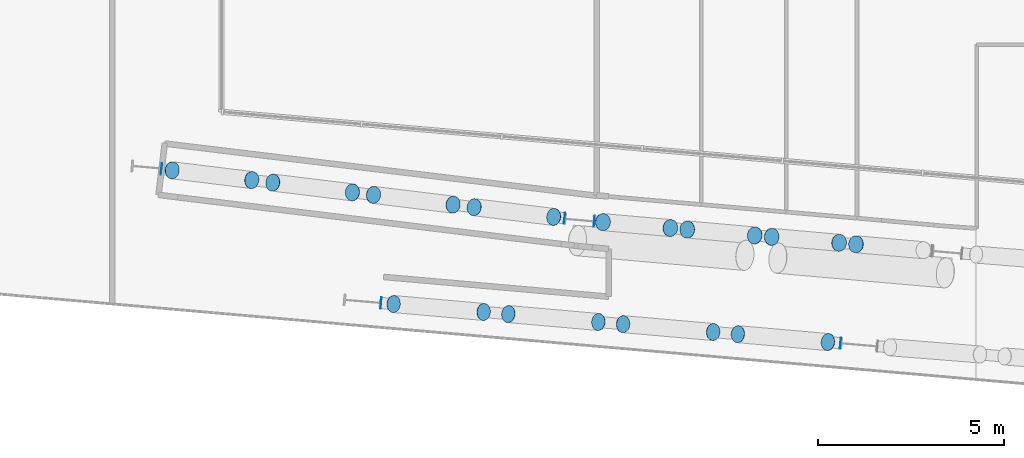
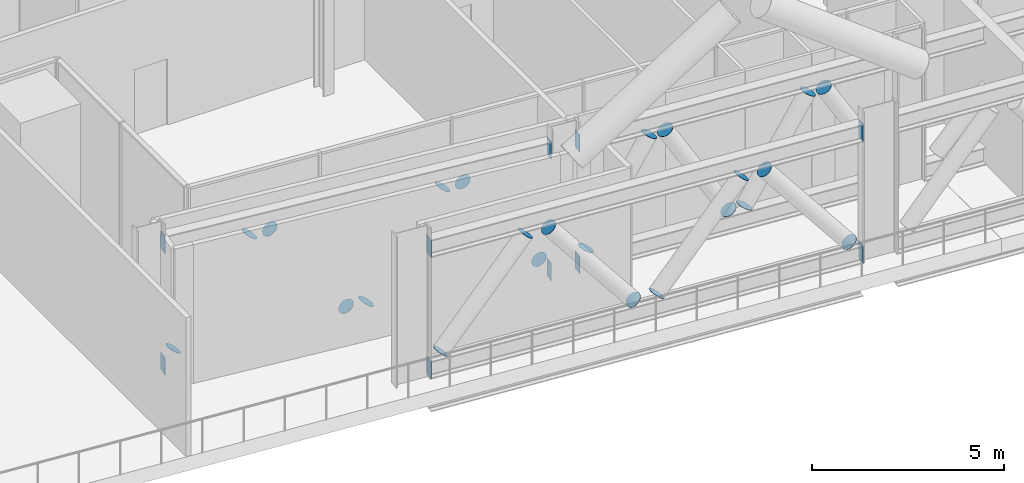
# One storey, part 26 of 39: 33 discrete accessories.
"""IFC4 building model written with IfcOpenShell, lengths in metres."""

from ifc_helpers import new_model, si_unit, direction, frame, origin, origin_2d, place, context, subcontext, project, spatial, rectangle, circle, extrude, material, material_profile, profile_set, type_object, element, save


model = new_model("IFC4")

# Units and contexts
model_context = context("Model", 3, precision=1e-05, world=origin(), true_north=direction((0.0, 1.0)))
body_context = subcontext(model_context, "Body", "Model", "MODEL_VIEW")
ifc_project = project(units=[si_unit("LENGTHUNIT", "METRE"), si_unit("AREAUNIT", "SQUARE_METRE"), si_unit("VOLUMEUNIT", "CUBIC_METRE"), si_unit("PLANEANGLEUNIT", "RADIAN"), si_unit("MASSUNIT", "GRAM", prefix="KILO")], contexts=[model_context])

# Site, building, storey
site_placement = place(None, origin())
site = spatial("IfcSite", under=ifc_project, at=site_placement, CompositionType="ELEMENT")
building_placement = place(site_placement, origin())
building = spatial("IfcBuilding", under=site, at=building_placement, Name="Wharfspan Tower", CompositionType="ELEMENT")
storey_placement = place(building_placement, frame((0.0, 0.0, 91.899902)))
storey = spatial("IfcBuildingStorey", under=building, at=storey_placement, Name="L20", CompositionType="ELEMENT", Elevation=91.899902)

# Discrete accessories
ifc_material_1 = material(Name="Steel S460NH", Category="steel")
ifc_material_profile_1 = material_profile(ifc_material_1, circle(Radius=0.228516, at=origin_2d()))
ifc_profile_set_1 = profile_set([ifc_material_profile_1], Name="Steel S460NH")
discrete_accessory_type_1 = type_object("IfcDiscreteAccessoryType", Name="End plate CHS 457x16", PredefinedType="BRACKET", material=ifc_profile_set_1)
discrete_accessory_1_placement = place(storey_placement, frame((14.274902, 2.485596, 0.673828), z_axis=(0.576018, -0.048002, 0.816026), x_axis=(0.083046, 0.996542, 0.0)))
element("IfcDiscreteAccessory", 1, at=discrete_accessory_1_placement, inside=storey, type_object=discrete_accessory_type_1, Name="End plate CHS 457x16", PredefinedType="BRACKET", context=body_context, shape_type="SweptSolid", body=[
    extrude(circle(Radius=0.228516, at=origin_2d()), origin(), (0.0, 0.0, 1.0), 0.010254),
])
discrete_accessory_2_placement = place(storey_placement, frame((16.412842, 2.224365, 3.718018), z_axis=(0.558819, -0.072889, 0.82608), x_axis=(0.129337, 0.991601, 1e-06)))
element("IfcDiscreteAccessory", 2, at=discrete_accessory_2_placement, inside=storey, type_object=discrete_accessory_type_1, Name="End plate CHS 457x16", PredefinedType="BRACKET", context=body_context, shape_type="SweptSolid", body=[
    extrude(circle(Radius=0.228516, at=origin_2d()), origin(), (0.0, 0.0, 1.0), 0.01001),
])
discrete_accessory_3_placement = place(storey_placement, frame((16.978516, 2.155273, 3.726318), z_axis=(0.575191, -0.071899, -0.814853), x_axis=(0.124036, 0.992275, 1e-06)))
element("IfcDiscreteAccessory", 3, at=discrete_accessory_3_placement, inside=storey, type_object=discrete_accessory_type_1, Name="End plate CHS 457x16", PredefinedType="BRACKET", context=body_context, shape_type="SweptSolid", body=[
    extrude(circle(Radius=0.228516, at=origin_2d()), origin(), (0.0, 0.0, 1.0), 0.010254),
])
for number, where, z_axis, x_axis, name in (
    (4, (19.116455, 1.893799, 0.682129), (0.559645, -0.048665, -0.827302), (0.086627, 0.99624, -2e-06), "End plate CHS 457x16"),
    (5, (19.682373, 1.824707, 0.673828), (0.558819, -0.072889, 0.82608), (0.129337, 0.991601, 1e-06), "End plate CHS 457x16"),
    (6, (21.820068, 1.563477, 3.718018), (0.558819, -0.072889, 0.82608), (0.129337, 0.991601, 1e-06), "End plate CHS 457x16"),
    (7, (22.385986, 1.494141, 3.726318), (0.558819, -0.072889, -0.82608), (0.129337, 0.991601, -1e-06), "End plate CHS 457x16"),
):
    element("IfcDiscreteAccessory", number, at=place(storey_placement, frame(where, z_axis=z_axis, x_axis=x_axis)), inside=storey, type_object=discrete_accessory_type_1, Name=name, PredefinedType="BRACKET", context=body_context, shape_type="SweptSolid", body=[
        extrude(circle(Radius=0.228516, at=origin_2d()), origin(), (0.0, 0.0, 1.0), 0.01001),
    ])
discrete_accessory_4_placement = place(storey_placement, frame((24.523682, 1.23291, 0.682129), z_axis=(0.575191, -0.071899, -0.814853), x_axis=(0.124036, 0.992275, 1e-06)))
element("IfcDiscreteAccessory", 8, at=discrete_accessory_4_placement, inside=storey, type_object=discrete_accessory_type_1, Name="End plate CHS 457x16", PredefinedType="BRACKET", context=body_context, shape_type="SweptSolid", body=[
    extrude(circle(Radius=0.228516, at=origin_2d()), origin(), (0.0, 0.0, 1.0), 0.010254),
])
discrete_accessory_5_placement = place(storey_placement, frame((25.844482, 1.093506, 0.657715), z_axis=(0.495529, -0.049553, 0.867177), x_axis=(0.099504, 0.995038, 0.0)))
element("IfcDiscreteAccessory", 9, at=discrete_accessory_5_placement, inside=storey, type_object=discrete_accessory_type_1, Name="End plate CHS 457x16", PredefinedType="BRACKET", context=body_context, shape_type="SweptSolid", body=[
    extrude(circle(Radius=0.228516, at=origin_2d()), origin(), (0.0, 0.0, 1.0), 0.009766),
])
discrete_accessory_6_placement = place(storey_placement, frame((27.655029, 0.935059, 3.733887), z_axis=(0.513879, -0.048941, 0.856465), x_axis=(0.094811, 0.995495, -1e-06)))
element("IfcDiscreteAccessory", 10, at=discrete_accessory_6_placement, inside=storey, type_object=discrete_accessory_type_1, Name="End plate CHS 457x16", PredefinedType="BRACKET", context=body_context, shape_type="SweptSolid", body=[
    extrude(circle(Radius=0.228516, at=origin_2d()), origin(), (0.0, 0.0, 1.0), 0.01001),
])
discrete_accessory_7_placement = place(storey_placement, frame((28.110596, 0.89502, 3.742432), z_axis=(0.495986, -0.024799, -0.867976), x_axis=(0.049937, 0.998752, 0.0)))
element("IfcDiscreteAccessory", 11, at=discrete_accessory_7_placement, inside=storey, type_object=discrete_accessory_type_1, Name="End plate CHS 457x16", PredefinedType="BRACKET", context=body_context, shape_type="SweptSolid", body=[
    extrude(circle(Radius=0.228516, at=origin_2d()), origin(), (0.0, 0.0, 1.0), 0.009766),
])
for number, where, z_axis, x_axis, name in (
    (12, (29.921143, 0.736816, 0.66626), (0.513879, -0.048941, -0.856465), (0.094811, 0.995495, 1e-06), "End plate CHS 457x16"),
    (13, (30.376709, 0.696777, 0.657715), (0.514341, -0.024492, 0.857236), (0.047566, 0.998868, -1e-06), "End plate CHS 457x16"),
    (14, (32.187256, 0.538574, 3.733887), (0.513879, -0.048941, 0.856465), (0.094811, 0.995495, -1e-06), "End plate CHS 457x16"),
    (15, (32.642822, 0.498535, 3.742432), (0.514341, -0.024492, -0.857236), (0.047566, 0.998868, 1e-06), "End plate CHS 457x16"),
    (16, (20.221436, -1.106689, 0.685547), (0.629852, -0.04845, 0.775203), (0.076696, 0.997051, 0.0), "End plate CHS 457x16"),
    (17, (22.640381, -1.318359, 3.707031), (0.629852, -0.04845, 0.775203), (0.076696, 0.997051, 0.0), "End plate CHS 457x16"),
    (18, (23.303711, -1.376221, 3.714844), (0.62893, -0.072569, -0.774068), (0.114624, 0.993406, 0.0), "End plate CHS 457x16"),
    (19, (25.722656, -1.587891, 0.693359), (0.629852, -0.04845, -0.775203), (0.076696, 0.997051, 0.0), "End plate CHS 457x16"),
    (20, (26.385986, -1.645996, 0.685547), (0.629852, -0.04845, 0.775203), (0.076696, 0.997051, 0.0), "End plate CHS 457x16"),
    (21, (28.805176, -1.857666, 3.707031), (0.614899, -0.049192, 0.78707), (0.079745, 0.996811, 0.0), "End plate CHS 457x16"),
    (22, (29.468262, -1.915527, 3.714844), (0.62893, -0.072569, -0.774068), (0.114624, 0.993406, 0.0), "End plate CHS 457x16"),
    (23, (31.887451, -2.127197, 0.693359), (0.613971, -0.073677, -0.785883), (0.119146, 0.992877, 0.0), "End plate CHS 457x16"),
):
    element("IfcDiscreteAccessory", number, at=place(storey_placement, frame(where, z_axis=z_axis, x_axis=x_axis)), inside=storey, type_object=discrete_accessory_type_1, Name=name, PredefinedType="BRACKET", context=body_context, shape_type="SweptSolid", body=[
        extrude(circle(Radius=0.228516, at=origin_2d()), origin(), (0.0, 0.0, 1.0), 0.01001),
    ])
ifc_material_2 = material(Name="Steel S355J2", Category="steel")
ifc_material_profile_2 = material_profile(ifc_material_2, rectangle(XDim=0.300049, YDim=0.550049, at=origin_2d()))
ifc_profile_set_2 = profile_set([ifc_material_profile_2], Name="Steel S355J2")
discrete_accessory_type_2 = type_object("IfcDiscreteAccessoryType", Name="End plate HEB 550", PredefinedType="BRACKET", material=ifc_profile_set_2)
for number, where, z_axis, x_axis, name in (
    (24, (13.985107, 2.52124, 4.125), (0.992278, -0.124035, 0.0), (0.124035, 0.992278, 0.0), "End plate HEB 550"),
    (25, (24.80957, 1.197998, 4.125), (0.992278, -0.124035, 0.0), (0.124035, 0.992278, 0.0), "End plate HEB 550"),
    (26, (13.985107, 2.52124, 0.275146), (0.992278, -0.124035, 0.0), (0.124035, 0.992278, 0.0), "End plate HEB 550"),
    (27, (24.80957, 1.197998, 0.275146), (0.992278, -0.124035, 0.0), (0.124035, 0.992278, 0.0), "End plate HEB 550"),
):
    element("IfcDiscreteAccessory", number, at=place(storey_placement, frame(where, z_axis=z_axis, x_axis=x_axis)), inside=storey, type_object=discrete_accessory_type_2, Name=name, PredefinedType="BRACKET", context=body_context, shape_type="SweptSolid", body=[
        extrude(rectangle(XDim=0.300049, YDim=0.550049, at=origin_2d()), origin(), (0.0, 0.0, 1.0), 0.009766),
    ])
for number, where, z_axis, x_axis, name in (
    (28, (25.609131, 1.114014, 4.125), (0.995275, -0.0971, 0.0), (0.0971, 0.995275, 0.0), "End plate HEB 550"),
    (29, (25.609131, 1.114014, 0.275146), (0.995275, -0.0971, 0.0), (0.0971, 0.995275, 0.0), "End plate HEB 550"),
):
    element("IfcDiscreteAccessory", number, at=place(storey_placement, frame(where, z_axis=z_axis, x_axis=x_axis)), inside=storey, type_object=discrete_accessory_type_2, Name=name, PredefinedType="BRACKET", context=body_context, shape_type="SweptSolid", body=[
        extrude(rectangle(XDim=0.300049, YDim=0.550049, at=origin_2d()), origin(), (0.0, 0.0, 1.0), 0.01001),
    ])
discrete_accessory_8_placement = place(storey_placement, frame((19.883057, -1.076904, 4.125), z_axis=(0.995037, -0.099504, 0.0), x_axis=(0.099504, 0.995037, 0.0)))
element("IfcDiscreteAccessory", 30, at=discrete_accessory_8_placement, inside=storey, type_object=discrete_accessory_type_2, Name="End plate HEB 550", PredefinedType="BRACKET", context=body_context, shape_type="SweptSolid", body=[
    extrude(rectangle(XDim=0.300049, YDim=0.550049, at=origin_2d()), origin(), (0.0, 0.0, 1.0), 0.009766),
])
discrete_accessory_9_placement = place(storey_placement, frame((32.222168, -2.156494, 4.125), z_axis=(0.995275, -0.0971, 0.0), x_axis=(0.0971, 0.995275, 0.0)))
element("IfcDiscreteAccessory", 31, at=discrete_accessory_9_placement, inside=storey, type_object=discrete_accessory_type_2, Name="End plate HEB 550", PredefinedType="BRACKET", context=body_context, shape_type="SweptSolid", body=[
    extrude(rectangle(XDim=0.300049, YDim=0.550049, at=origin_2d()), origin(), (0.0, 0.0, 1.0), 0.01001),
])
discrete_accessory_10_placement = place(storey_placement, frame((19.883057, -1.076904, 0.275146), z_axis=(0.995037, -0.099504, 0.0), x_axis=(0.099504, 0.995037, 0.0)))
element("IfcDiscreteAccessory", 32, at=discrete_accessory_10_placement, inside=storey, type_object=discrete_accessory_type_2, Name="End plate HEB 550", PredefinedType="BRACKET", context=body_context, shape_type="SweptSolid", body=[
    extrude(rectangle(XDim=0.300049, YDim=0.550049, at=origin_2d()), origin(), (0.0, 0.0, 1.0), 0.009766),
])
discrete_accessory_11_placement = place(storey_placement, frame((32.222168, -2.156494, 0.275146), z_axis=(0.995275, -0.0971, 0.0), x_axis=(0.0971, 0.995275, 0.0)))
element("IfcDiscreteAccessory", 33, at=discrete_accessory_11_placement, inside=storey, type_object=discrete_accessory_type_2, Name="End plate HEB 550", PredefinedType="BRACKET", context=body_context, shape_type="SweptSolid", body=[
    extrude(rectangle(XDim=0.300049, YDim=0.550049, at=origin_2d()), origin(), (0.0, 0.0, 1.0), 0.01001),
])

save(model, "model.ifc")
